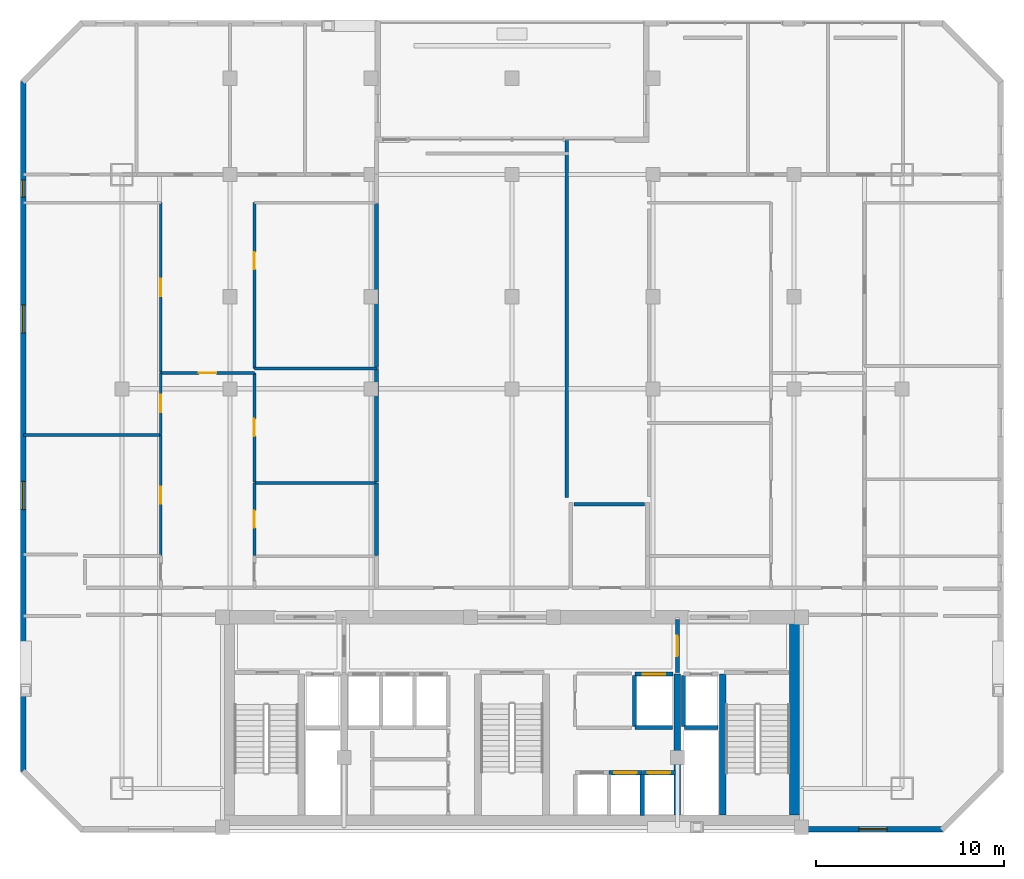
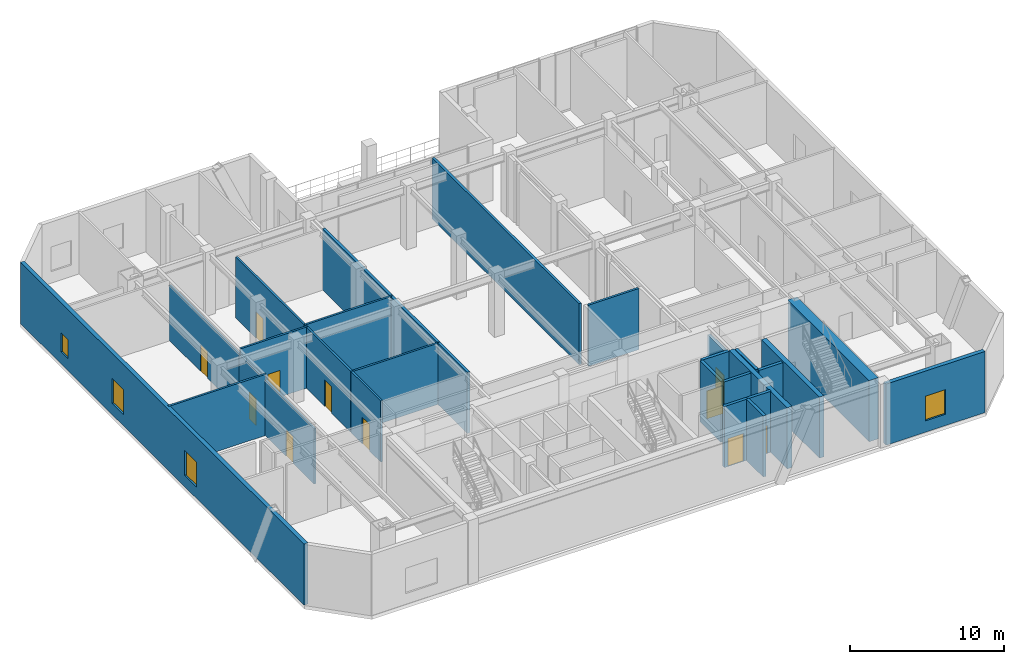
# One storey, part 7 of 11: 29 walls, 11 doors, 4 windows, 15 openings.
"""IFC4 building model written with IfcOpenShell, lengths in metres."""

import ifcopenshell
import ifcopenshell.guid

model = None  # the IFC model being written
_history = None  # IfcOwnerHistory: only IFC2X3 demands one
_inside = {}  # id of a spatial element -> (the spatial element, [elements in it])
_under = {}  # id of a project, library or spatial element -> (it, [spatial elements below it])
_declared = {}  # id of a project -> (the project, [libraries it declares])
_typed = {}  # id of a type object -> (the type object, [elements of that type])
_made_of = {}  # id of a material, layer set ... -> (it, [elements and type objects made of it])


def new_model(schema):
    """Start an empty IFC model of exactly this schema.

    Asked for "IFC4X3", IfcOpenShell would pick the latest addendum, in which some entities
    have other attributes; the version numbers below select the first issue.
    IFC2X3 requires an IfcOwnerHistory on every rooted entity: one is made here for all.
    """
    global model, _history
    if schema == "IFC4X3":
        model = ifcopenshell.file(schema_version=(4, 3, 0, 0))
    else:
        model = ifcopenshell.file(schema=schema)
    _inside.clear()
    _under.clear()
    _declared.clear()
    _typed.clear()
    _made_of.clear()
    _history = None
    if model.schema == "IFC2X3":
        org = make("IfcOrganization", Name="unknown")
        user = make(
            "IfcPersonAndOrganization",
            ThePerson=make("IfcPerson", FamilyName="unknown"),
            TheOrganization=org,
        )
        app = make(
            "IfcApplication",
            ApplicationDeveloper=org,
            Version="unknown",
            ApplicationFullName="unknown",
            ApplicationIdentifier="unknown",
        )
        _history = make(
            "IfcOwnerHistory",
            OwningUser=user,
            OwningApplication=app,
            ChangeAction="ADDED",
            CreationDate=0,
        )
    return model


def make(cls, **values):
    """One entity of the class cls with the attributes given. An attribute that is None is left unset."""
    return model.create_entity(
        cls, **{name: value for name, value in values.items() if value is not None}
    )


def rooted(cls, **values):
    """An entity with a GlobalId (a new one), such as an element, a storey or a relation."""
    return make(cls, GlobalId=ifcopenshell.guid.new(), OwnerHistory=_history, **values)


def si_unit(unit_type, name, prefix=None):
    """IfcSIUnit, for example si_unit("LENGTHUNIT", "METRE", prefix="MILLI")."""
    return make("IfcSIUnit", UnitType=unit_type, Prefix=prefix, Name=name)


def assignment(units):
    """IfcUnitAssignment: the units of a project."""
    return None if units is None else make("IfcUnitAssignment", Units=units)


def point(xyz):
    """IfcCartesianPoint."""
    return None if xyz is None else make("IfcCartesianPoint", Coordinates=xyz)


def direction(xyz):
    """IfcDirection."""
    return None if xyz is None else make("IfcDirection", DirectionRatios=xyz)


def frame(location, z_axis=None, x_axis=None):
    """IfcAxis2Placement3D, a coordinate frame: its origin and axes. An axis left out is left unset."""
    return make(
        "IfcAxis2Placement3D",
        Location=point(location),
        Axis=direction(z_axis),
        RefDirection=direction(x_axis),
    )


def frame_2d(location, x_axis=None):
    """IfcAxis2Placement2D, a coordinate frame in the plane: its origin and x axis."""
    return make(
        "IfcAxis2Placement2D", Location=point(location), RefDirection=direction(x_axis)
    )


def origin():
    """The frame at (0, 0, 0) with its axes left unset."""
    return frame((0.0, 0.0, 0.0))


def place(relative_to, where):
    """IfcLocalPlacement: puts the frame where relative to a parent placement (None: the world)."""
    return make(
        "IfcLocalPlacement", PlacementRelTo=relative_to, RelativePlacement=where
    )


def context(
    kind, dimensions, precision=None, world=None, true_north=None, identifier=None
):
    """IfcGeometricRepresentationContext, for example the 3D "Model" context."""
    return make(
        "IfcGeometricRepresentationContext",
        ContextIdentifier=identifier,
        ContextType=kind,
        CoordinateSpaceDimension=dimensions,
        Precision=precision,
        WorldCoordinateSystem=world,
        TrueNorth=true_north,
    )


def subcontext(parent, identifier, kind, view, scale=None):
    """IfcGeometricRepresentationSubContext, for example "Body" below "Model"."""
    return make(
        "IfcGeometricRepresentationSubContext",
        ContextIdentifier=identifier,
        ContextType=kind,
        ParentContext=parent,
        TargetScale=scale,
        TargetView=view,
    )


def project(units=None, contexts=None):
    """IfcProject with its units and contexts."""
    return rooted(
        "IfcProject",
        Name="project",
        RepresentationContexts=contexts,
        UnitsInContext=assignment(units),
    )


def spatial(cls, under=None, at=None, **own):
    """A site, building, storey or space (cls), placed at a placement, below another one or the project."""
    s = rooted(cls, ObjectPlacement=at, **own)
    if under is not None:
        _under.setdefault(under.id(), (under, []))[1].append(s)
    return s


def profile(cls, at=None, kind="AREA", **sizes):
    """A parametric profile (cls). Its sizes go by their IFC names, for example OverallWidth=200.0."""
    return make(cls, ProfileType=kind, Position=at, **sizes)


def rectangle(**sizes):
    """IfcRectangleProfileDef."""
    return profile("IfcRectangleProfileDef", **sizes)


def extrude(swept, where, along, depth):
    """IfcExtrudedAreaSolid: the profile swept, set in the frame where, extruded along a direction by depth."""
    return make(
        "IfcExtrudedAreaSolid",
        SweptArea=swept,
        Position=where,
        ExtrudedDirection=direction(along),
        Depth=depth,
    )


def shape(context_of_items, identifier, shape_type, items):
    """IfcShapeRepresentation: the items that make up one representation, for example the "Body"."""
    return make(
        "IfcShapeRepresentation",
        ContextOfItems=context_of_items,
        RepresentationIdentifier=identifier,
        RepresentationType=shape_type,
        Items=items,
    )


def material(Name=None, Category=None):
    """IfcMaterial."""
    return make("IfcMaterial", Name=Name, Category=Category)


def layer(
    of_material, thickness, ventilated=None, Name=None, Category=None, Priority=None
):
    """IfcMaterialLayer: one layer of a wall or slab, of a material (None: an air gap)."""
    return make(
        "IfcMaterialLayer",
        Material=of_material,
        LayerThickness=thickness,
        IsVentilated=ventilated,
        Name=Name,
        Category=Category,
        Priority=Priority,
    )


def layer_set(layers, Name=None):
    """IfcMaterialLayerSet."""
    return make("IfcMaterialLayerSet", MaterialLayers=layers, LayerSetName=Name)


def made_of(thing, what):
    """Note that an element or type object is made of a material, layer set ...; save() writes the relation."""
    if what is not None:
        _made_of.setdefault(what.id(), (what, []))[1].append(thing)
    return thing


def type_object(cls, material=None, **own):
    """A type object (cls), such as IfcWallType, which elements share."""
    return made_of(rooted(cls, **own), material)


def element(
    cls,
    number,
    at=None,
    inside=None,
    cuts=None,
    type_object=None,
    material=None,
    context=None,
    identifier="Body",
    shape_type=None,
    held_by="IfcProductDefinitionShape",
    body=None,
    shapes=None,
    **own,
):
    """One element of the class cls, such as IfcWall. Its Tag is "e" and its number.

    at: its placement. inside: the storey or other place that contains it. cuts: it is an
    opening in that element (IfcRelVoidsElement). A single representation is given by context,
    identifier, shape_type and body (its items); several are given by shapes. held_by: the class
    of the entity that holds the representations. save() writes the other relations.
    """
    e = rooted(cls, Tag="e%d" % number, ObjectPlacement=at, **own)
    if body is not None:
        shapes = [shape(context, identifier, shape_type, body)]
    if shapes is not None:
        e.Representation = make(held_by, Representations=shapes)
    if inside is not None:
        _inside.setdefault(inside.id(), (inside, []))[1].append(e)
    if cuts is not None:
        rooted(
            "IfcRelVoidsElement", RelatingBuildingElement=cuts, RelatedOpeningElement=e
        )
    if type_object is not None:
        _typed.setdefault(type_object.id(), (type_object, []))[1].append(e)
    return made_of(e, material)


def fill(opening, filler):
    """IfcRelFillsElement: the door or window that sits in an opening."""
    return rooted(
        "IfcRelFillsElement",
        RelatingOpeningElement=opening,
        RelatedBuildingElement=filler,
    )


def aggregate(whole, parts):
    """IfcRelAggregates: a whole, such as a stair, and the parts it consists of."""
    return rooted("IfcRelAggregates", RelatingObject=whole, RelatedObjects=parts)


def save(model, path):
    """Write the relations noted so far, then the file.

    IfcRelAggregates (storeys below a building ...), IfcRelContainedInSpatialStructure (elements
    in a storey), IfcRelDefinesByType, IfcRelAssociatesMaterial and IfcRelDeclares: one each for
    every whole, place, type object, material and project.
    """
    for whole, parts in _under.values():
        aggregate(whole, parts)
    for where, things in _inside.values():
        rooted(
            "IfcRelContainedInSpatialStructure",
            RelatedElements=things,
            RelatingStructure=where,
        )
    for kind, things in _typed.values():
        rooted("IfcRelDefinesByType", RelatedObjects=things, RelatingType=kind)
    for what, things in _made_of.values():
        rooted("IfcRelAssociatesMaterial", RelatedObjects=things, RelatingMaterial=what)
    for by, libraries in _declared.values():
        rooted("IfcRelDeclares", RelatingContext=by, RelatedDefinitions=libraries)
    model.write(path)


model = new_model("IFC4")

# Units and contexts
model_context = context("Model", 3, precision=1e-05, world=origin(), true_north=direction((0.0, 1.0)))
body_context = subcontext(model_context, "Body", "Model", "MODEL_VIEW")
ifc_project = project(units=[si_unit("LENGTHUNIT", "METRE"), si_unit("AREAUNIT", "SQUARE_METRE"), si_unit("VOLUMEUNIT", "CUBIC_METRE"), si_unit("PLANEANGLEUNIT", "RADIAN"), si_unit("MASSUNIT", "GRAM", prefix="KILO")], contexts=[model_context])

# Site, building, storey
site_placement = place(None, origin())
site = spatial("IfcSite", under=ifc_project, at=site_placement, CompositionType="ELEMENT")
building_placement = place(site_placement, origin())
building = spatial("IfcBuilding", under=site, at=building_placement, Name="Ventersveld Concourse Tower", CompositionType="ELEMENT")
storey_placement = place(building_placement, frame((0.0, 0.0, 140.14990234375)))
storey = spatial("IfcBuildingStorey", under=building, at=storey_placement, Name="L34", CompositionType="ELEMENT", Elevation=140.14990234375)

# Walls
ifc_material_1 = material(Name="Concrete C60/75", Category="concrete")
ifc_layer_1 = layer(ifc_material_1, 0.35009765625)
ifc_layer_set_1 = layer_set([ifc_layer_1], Name="Concrete C60/75")
wall_type_1 = type_object("IfcWallType", Name="WL-CORE-350L", PredefinedType="SHEAR", material=ifc_layer_set_1)
for number, where, z_axis, x_axis, name in (
    (1, (37.550048828125, 0.919921875, 0.0), (0.0, 0.0, 1.0), (0.0, 1.0, 0.0), "L34 Core Internal Shear Web W-SVL-W"),
    (2, (39.9599609375, 0.919921875, 0.0), (0.0, 0.0, 1.0), (0.0, 1.0, 0.0), "L34 Core Internal Shear Web W-ST2-W"),
):
    element("IfcWall", number, at=place(storey_placement, frame(where, z_axis=z_axis, x_axis=x_axis)), inside=storey, type_object=wall_type_1, Name=name, PredefinedType="SHEAR", context=body_context, shape_type="SweptSolid", body=[
        extrude(rectangle(XDim=7.5, YDim=0.35009765625, at=frame_2d((3.75, 0.0))), origin(), (0.0, 0.0, 1.0), 4.830078125),
    ])
ifc_layer_2 = layer(ifc_material_1, 0.699951171875)
ifc_layer_set_2 = layer_set([ifc_layer_2], Name="Concrete C60/75")
wall_type_2 = type_object("IfcWallType", Name="WL-CORE-700", PredefinedType="SHEAR", material=ifc_layer_set_2)
wall_1_placement = place(storey_placement, frame((43.85009765625, 0.919921875, 0.0), z_axis=(0.0, 0.0, 1.0), x_axis=(0.0, 1.0, 0.0)))
element("IfcWall", 3, at=wall_1_placement, inside=storey, type_object=wall_type_2, Name="L34 Rear Core East Shear Wall", PredefinedType="SHEAR", context=body_context, shape_type="SweptSolid", body=[
    extrude(rectangle(XDim=10.530029296875, YDim=0.699951171875, at=frame_2d((5.26513671875, 0.0))), origin(), (0.0, 0.0, 1.0), 4.830078125),
])
ifc_material_2 = material(Name="Fire-rated autoclaved aerated masonry blockwork", Category="masonry")
ifc_layer_3 = layer(ifc_material_2, 0.179931640625)
ifc_layer_set_3 = layer_set([ifc_layer_3], Name="Fire-rated autoclaved aerated masonry blockwork")
wall_type_3 = type_object("IfcWallType", Name="WL-CORR-180", PredefinedType="PARTITIONING", material=ifc_layer_set_3)
wall_2_placement = place(storey_placement, frame((31.669921875, 36.83203125, 0.0), z_axis=(0.0, 0.0, 1.0), x_axis=(0.0, -1.0, 0.0)))
element("IfcWall", 4, at=wall_2_placement, inside=storey, type_object=wall_type_3, Name="L34 Room Enclosure Wall SP-L34-SLOB", PredefinedType="PARTITIONING", context=body_context, shape_type="SweptSolid", body=[
    extrude(rectangle(XDim=19.0029296875, YDim=0.179931640625, at=frame_2d((9.50146484375, 0.0))), origin(), (0.0, 0.0, 1.0), 4.830078125),
])
ifc_layer_4 = layer(ifc_material_2, 0.199951171875)
ifc_layer_set_4 = layer_set([ifc_layer_4], Name="Fire-rated autoclaved aerated masonry blockwork")
wall_type_4 = type_object("IfcWallType", Name="WL-DEMISE-200", PredefinedType="PARTITIONING", material=ifc_layer_set_4)
wall_3_placement = place(storey_placement, frame((21.5400390625, 14.735107421875, 0.0), z_axis=(0.0, 0.0, 1.0), x_axis=(0.0, 1.0, 0.0)))
element("IfcWall", 5, at=wall_3_placement, inside=storey, type_object=wall_type_4, Name="L34 Interior Partition SP-L34-SLOB-SP-L34-34CW-SEMR1", PredefinedType="PARTITIONING", context=body_context, shape_type="SweptSolid", body=[
    extrude(rectangle(XDim=3.867919921875, YDim=0.199951171875, at=frame_2d((1.93408203125, 0.0))), origin(), (0.0, 0.0, 1.0), 4.830078125),
])
wall_4_placement = place(storey_placement, frame((21.5400390625, 18.633056640625, 0.0), z_axis=(0.0, 0.0, 1.0), x_axis=(0.0, 1.0, 0.0)))
element("IfcWall", 6, at=wall_4_placement, inside=storey, type_object=wall_type_4, Name="L34 Interior Partition SP-L34-SLOB-SP-L34-34CW-DENS", PredefinedType="PARTITIONING", context=body_context, shape_type="SweptSolid", body=[
    extrude(rectangle(XDim=6.060791015625, YDim=0.199951171875, at=frame_2d((3.0302734375, 0.0))), origin(), (0.0, 0.0, 1.0), 4.830078125),
])
wall_5_placement = place(storey_placement, frame((21.5400390625, 24.723876953125, 0.0), z_axis=(0.0, 0.0, 1.0), x_axis=(0.0, 1.0, 0.0)))
element("IfcWall", 7, at=wall_5_placement, inside=storey, type_object=wall_type_4, Name="L34 Interior Partition SP-L34-SLOB-SP-L34-34CW-DENS2", PredefinedType="PARTITIONING", context=body_context, shape_type="SweptSolid", body=[
    extrude(rectangle(XDim=8.7412109375, YDim=0.199951171875, at=frame_2d((4.37060546875, 0.0))), origin(), (0.0, 0.0, 1.0), 4.830078125),
])
ifc_layer_5 = layer(ifc_material_2, 0.219970703125)
ifc_layer_set_5 = layer_set([ifc_layer_5], Name="Fire-rated autoclaved aerated masonry blockwork")
wall_type_5 = type_object("IfcWallType", Name="WL-HOIST-220", PredefinedType="SOLIDWALL", material=ifc_layer_set_5)
wall_6_placement = place(storey_placement, frame((37.919921875, 5.590087890625, 0.0), z_axis=(0.0, 0.0, 1.0), x_axis=(1.0, 0.0, 0.0)))
element("IfcWall", 8, at=wall_6_placement, inside=storey, type_object=wall_type_5, Name="L34 Lift Hoistway Back Wall FFL-02", PredefinedType="SOLIDWALL", context=body_context, shape_type="SweptSolid", body=[
    extrude(rectangle(XDim=1.780029296875, YDim=0.219970703125, at=frame_2d((0.89013671875, 0.0))), origin(), (0.0, 0.0, 1.0), 4.830078125),
])
wall_7_placement = place(storey_placement, frame((37.8798828125, 5.64990234375, 0.0), z_axis=(0.0, 0.0, 1.0), x_axis=(0.0, 1.0, 0.0)))
element("IfcWall", 9, at=wall_7_placement, inside=storey, type_object=wall_type_5, Name="L34 Lift Hoistway Side Wall FFL-02W", PredefinedType="SOLIDWALL", context=body_context, shape_type="SweptSolid", body=[
    extrude(rectangle(XDim=2.7001953125, YDim=0.219970703125, at=frame_2d((1.35009765625, 0.0))), origin(), (0.0, 0.0, 1.0), 4.830078125),
])
wall_8_placement = place(storey_placement, frame((35.300048828125, 5.590087890625, 0.0), z_axis=(0.0, 0.0, 1.0), x_axis=(1.0, 0.0, 0.0)))
element("IfcWall", 10, at=wall_8_placement, inside=storey, type_object=wall_type_5, Name="L34 Lift Hoistway Back Wall SVL-01", PredefinedType="SOLIDWALL", context=body_context, shape_type="SweptSolid", body=[
    extrude(rectangle(XDim=2.0, YDim=0.219970703125, at=frame_2d((1.0, 0.0))), origin(), (0.0, 0.0, 1.0), 4.830078125),
])
wall_9_placement = place(storey_placement, frame((35.260009765625, 5.64990234375, 0.0), z_axis=(0.0, 0.0, 1.0), x_axis=(0.0, 1.0, 0.0)))
element("IfcWall", 11, at=wall_9_placement, inside=storey, type_object=wall_type_5, Name="L34 Lift Hoistway Side Wall SVL-01W", PredefinedType="SOLIDWALL", context=body_context, shape_type="SweptSolid", body=[
    extrude(rectangle(XDim=2.7001953125, YDim=0.219970703125, at=frame_2d((1.35009765625, 0.0))), origin(), (0.0, 0.0, 1.0), 4.830078125),
])

# Wall, opening, door
wall_10_placement = place(storey_placement, frame((35.280029296875, 8.429931640625, 0.0), z_axis=(0.0, 0.0, 1.0), x_axis=(1.0, 0.0, 0.0)))
wall_10 = element("IfcWall", 12, at=wall_10_placement, inside=storey, type_object=wall_type_5, Name="L34 Lift Hoistway Front Wall SVL-01", PredefinedType="SOLIDWALL", context=body_context, shape_type="SweptSolid", body=[
    extrude(rectangle(XDim=2.0400390625, YDim=0.219970703125, at=frame_2d((1.02001953125, 0.0))), origin(), (0.0, 0.0, 1.0), 4.830078125),
])
opening_1_placement = place(wall_10_placement, frame((0.429931640625, 0.0, 0.0)))
opening_1 = element("IfcOpeningElement", 13, at=opening_1_placement, cuts=wall_10, Name="Opening LD2", PredefinedType="OPENING", context=body_context, shape_type="SweptSolid", body=[
    extrude(rectangle(XDim=1.179931640625, YDim=2.199951171875, at=frame_2d((0.58984375, 1.10009765625))), frame((0.0, 0.1201171875, 0.0), z_axis=(0.0, -1.0, 0.0), x_axis=(1.0, 0.0, 0.0)), (0.0, 0.0, 1.0), 0.239990234375),
])
ifc_material_3 = material(Name="Brushed stainless steel 316", Category="steel")
door_type_1 = type_object("IfcDoorType", Name="LD-PAX-118", OperationType="SLIDING_TO_LEFT", PredefinedType="DOOR", material=ifc_material_3)
door_1_placement = place(opening_1_placement, origin())
door_1 = element("IfcDoor", 14, at=door_1_placement, inside=storey, type_object=door_type_1, Name="L34 Lift landing door SVL-01 (LD-L34-SVL-01)", OperationType="SLIDING_TO_RIGHT", OverallHeight=2.199951171875, OverallWidth=1.179931640625, PredefinedType="DOOR", context=body_context, shape_type="SweptSolid", body=[
    extrude(rectangle(XDim=1.179931640625, YDim=2.199951171875, at=frame_2d((0.58984375, 1.10009765625))), frame((0.0, 0.02490234375, 0.0), z_axis=(0.0, -1.0, 0.0), x_axis=(1.0, 0.0, 0.0)), (0.0, 0.0, 1.0), 0.050048828125),
])
fill(opening_1, door_1)

# Wall
wall_11_placement = place(storey_placement, frame((35.679931640625, 0.89990234375, 0.0), z_axis=(0.0, 0.0, 1.0), x_axis=(0.0, 1.0, 0.0)))
element("IfcWall", 15, at=wall_11_placement, inside=storey, type_object=wall_type_5, Name="L34 Lift Hoistway Side Wall PM-02E", PredefinedType="SOLIDWALL", context=body_context, shape_type="SweptSolid", body=[
    extrude(rectangle(XDim=2.2001953125, YDim=0.219970703125, at=frame_2d((1.10009765625, 0.0))), origin(), (0.0, 0.0, 1.0), 4.830078125),
])

# Wall, opening, door
wall_12_placement = place(storey_placement, frame((33.919921875, 3.179931640625, 0.0), z_axis=(0.0, 0.0, 1.0), x_axis=(1.0, 0.0, 0.0)))
wall_12 = element("IfcWall", 16, at=wall_12_placement, inside=storey, type_object=wall_type_5, Name="L34 Lift Hoistway Front Wall PM-02", PredefinedType="SOLIDWALL", context=body_context, shape_type="SweptSolid", body=[
    extrude(rectangle(XDim=1.739990234375, YDim=0.219970703125, at=frame_2d((0.8701171875, 0.0))), origin(), (0.0, 0.0, 1.0), 4.830078125),
])
opening_2_placement = place(wall_12_placement, frame((0.280029296875, 0.0, 0.0)))
opening_2 = element("IfcOpeningElement", 17, at=opening_2_placement, cuts=wall_12, Name="Opening LD2", PredefinedType="OPENING", context=body_context, shape_type="SweptSolid", body=[
    extrude(rectangle(XDim=1.179931640625, YDim=2.199951171875, at=frame_2d((0.58984375, 1.10009765625))), frame((0.0, 0.1201171875, 0.0), z_axis=(0.0, -1.0, 0.0), x_axis=(1.0, 0.0, 0.0)), (0.0, 0.0, 1.0), 0.239990234375),
])
door_2_placement = place(opening_2_placement, origin())
door_2 = element("IfcDoor", 18, at=door_2_placement, inside=storey, type_object=door_type_1, Name="L34 Lift landing door PM-02 (LD-L34-PM-02)", OperationType="SLIDING_TO_RIGHT", OverallHeight=2.199951171875, OverallWidth=1.179931640625, PredefinedType="DOOR", context=body_context, shape_type="SweptSolid", body=[
    extrude(rectangle(XDim=1.179931640625, YDim=2.199951171875, at=frame_2d((0.58984375, 1.10009765625))), frame((0.0, 0.02490234375, 0.0), z_axis=(0.0, -1.0, 0.0), x_axis=(1.0, 0.0, 0.0)), (0.0, 0.0, 1.0), 0.050048828125),
])
fill(opening_2, door_2)

wall_13_placement = place(storey_placement, frame((35.699951171875, 3.179931640625, 0.0), z_axis=(0.0, 0.0, 1.0), x_axis=(1.0, 0.0, 0.0)))
wall_13 = element("IfcWall", 19, at=wall_13_placement, inside=storey, type_object=wall_type_5, Name="L34 Lift Hoistway Front Wall PM-03", PredefinedType="SOLIDWALL", context=body_context, shape_type="SweptSolid", body=[
    extrude(rectangle(XDim=1.739990234375, YDim=0.219970703125, at=frame_2d((0.8701171875, 0.0))), origin(), (0.0, 0.0, 1.0), 4.830078125),
])
opening_3_placement = place(wall_13_placement, frame((0.280029296875, 0.0, 0.0)))
opening_3 = element("IfcOpeningElement", 20, at=opening_3_placement, cuts=wall_13, Name="Opening LD2", PredefinedType="OPENING", context=body_context, shape_type="SweptSolid", body=[
    extrude(rectangle(XDim=1.179931640625, YDim=2.199951171875, at=frame_2d((0.58984375, 1.10009765625))), frame((0.0, 0.1201171875, 0.0), z_axis=(0.0, -1.0, 0.0), x_axis=(1.0, 0.0, 0.0)), (0.0, 0.0, 1.0), 0.239990234375),
])
door_3_placement = place(opening_3_placement, origin())
door_3 = element("IfcDoor", 21, at=door_3_placement, inside=storey, type_object=door_type_1, Name="L34 Lift landing door PM-03 (LD-L34-PM-03)", OperationType="SLIDING_TO_LEFT", OverallHeight=2.199951171875, OverallWidth=1.179931640625, PredefinedType="DOOR", context=body_context, shape_type="SweptSolid", body=[
    extrude(rectangle(XDim=1.179931640625, YDim=2.199951171875, at=frame_2d((0.58984375, 1.10009765625))), frame((0.0, 0.02490234375, 0.0), z_axis=(0.0, -1.0, 0.0), x_axis=(1.0, 0.0, 0.0)), (0.0, 0.0, 1.0), 0.050048828125),
])
fill(opening_3, door_3)

wall_14_placement = place(storey_placement, frame((37.550048828125, 8.52001953125, 0.0), z_axis=(0.0, 0.0, 1.0), x_axis=(0.0, 1.0, 0.0)))
wall_14 = element("IfcWall", 22, at=wall_14_placement, inside=storey, type_object=wall_type_5, Name="L34 Firefighting Lobby Smoke-Stop Wall FFLE-SEP", PredefinedType="SOLIDWALL", context=body_context, shape_type="SweptSolid", body=[
    extrude(rectangle(XDim=2.800048828125, YDim=0.219970703125, at=frame_2d((1.39990234375, 0.0))), origin(), (0.0, 0.0, 1.0), 4.28564453125),
])
opening_4_placement = place(wall_14_placement, frame((0.85009765625, 0.0, 0.0)))
opening_4 = element("IfcOpeningElement", 23, at=opening_4_placement, cuts=wall_14, Name="Opening FD2", PredefinedType="OPENING", context=body_context, shape_type="SweptSolid", body=[
    extrude(rectangle(XDim=1.10009765625, YDim=2.199951171875, at=frame_2d((0.550048828125, 1.10009765625))), frame((0.0, 0.1201171875, 0.0), z_axis=(0.0, -1.0, 0.0), x_axis=(1.0, 0.0, 0.0)), (0.0, 0.0, 1.0), 0.239990234375),
])
ifc_material_4 = material(Name="Galvanised painted steel", Category="steel")
door_type_2 = type_object("IfcDoorType", Name="DR-FFL-110", OperationType="NOTDEFINED", PredefinedType="DOOR", material=ifc_material_4)
door_4_placement = place(opening_4_placement, origin())
door_4 = element("IfcDoor", 24, at=door_4_placement, inside=storey, type_object=door_type_2, Name="L34 Firefighting Lobby Door FFLE-SEP (FD-L34-1659)", OperationType="SINGLE_SWING_RIGHT", OverallHeight=2.199951171875, OverallWidth=1.10009765625, PredefinedType="DOOR", context=body_context, shape_type="SweptSolid", body=[
    extrude(rectangle(XDim=1.10009765625, YDim=2.199951171875, at=frame_2d((0.550048828125, 1.10009765625))), frame((0.0, 0.02490234375, 0.0), z_axis=(0.0, -1.0, 0.0), x_axis=(1.0, 0.0, 0.0)), (0.0, 0.0, 1.0), 0.050048828125),
])
fill(opening_4, door_4)

ifc_material_5 = material(Name="Autoclaved aerated masonry blockwork", Category="masonry")
ifc_layer_6 = layer(ifc_material_5, 0.14990234375)
ifc_layer_set_6 = layer_set([ifc_layer_6], Name="Autoclaved aerated masonry blockwork")
wall_type_6 = type_object("IfcWallType", Name="WL-INT-150", PredefinedType="PARTITIONING", material=ifc_layer_set_6)
wall_15_placement = place(storey_placement, frame((10.064697265625, 24.444091796875, 0.0), z_axis=(0.0, 0.0, 1.0), x_axis=(1.0, 0.0, 0.0)))
wall_15 = element("IfcWall", 25, at=wall_15_placement, inside=storey, type_object=wall_type_6, Name="L34 Interior Partition SP-L34-34CW-FOY-SP-L34-34CW-LIV", PredefinedType="PARTITIONING", context=body_context, shape_type="SweptSolid", body=[
    extrude(rectangle(XDim=4.989990234375, YDim=0.14990234375, at=frame_2d((2.4951171875, 0.0))), origin(), (0.0, 0.0, 1.0), 4.830078125),
])
opening_5_placement = place(wall_15_placement, frame((2.034912109375, 0.0, 0.0)))
opening_5 = element("IfcOpeningElement", 26, at=opening_5_placement, cuts=wall_15, Name="Opening ID1", PredefinedType="OPENING", context=body_context, shape_type="SweptSolid", body=[
    extrude(rectangle(XDim=0.919921875, YDim=2.10009765625, at=frame_2d((0.4599609375, 1.050048828125))), frame((0.0, 0.0849609375, 0.0), z_axis=(0.0, -1.0, 0.0), x_axis=(1.0, 0.0, 0.0)), (0.0, 0.0, 1.0), 0.169921875),
])
ifc_material_6 = material(Name="Solid-core hardwood veneer timber", Category="wood")
door_type_3 = type_object("IfcDoorType", Name="DR-ROOM-092", OperationType="NOTDEFINED", PredefinedType="DOOR", material=ifc_material_6)
door_5_placement = place(opening_5_placement, origin())
door_5 = element("IfcDoor", 27, at=door_5_placement, inside=storey, type_object=door_type_3, Name="L34 Interior Door SP-L34-34CW-FOY to SP-L34-34CW-LIV (D-L34-1673)", OperationType="SINGLE_SWING_LEFT", OverallHeight=2.10009765625, OverallWidth=0.919921875, PredefinedType="DOOR", context=body_context, shape_type="SweptSolid", body=[
    extrude(rectangle(XDim=0.919921875, YDim=2.10009765625, at=frame_2d((0.4599609375, 1.050048828125))), frame((0.0, 0.02490234375, 0.0), z_axis=(0.0, -1.0, 0.0), x_axis=(1.0, 0.0, 0.0)), (0.0, 0.0, 1.0), 0.050048828125),
])
fill(opening_5, door_5)

wall_16_placement = place(storey_placement, frame((10.069580078125, 14.735107421875, 0.0), z_axis=(0.0, 0.0, 1.0), x_axis=(0.0, 1.0, 0.0)))
wall_16 = element("IfcWall", 28, at=wall_16_placement, inside=storey, type_object=wall_type_6, Name="L34 Interior Partition SP-L34-34CW-FOY-SP-L34-34CW-MEDL0", PredefinedType="PARTITIONING", context=body_context, shape_type="SweptSolid", body=[
    extrude(rectangle(XDim=6.415283203125, YDim=0.14990234375, at=frame_2d((3.20751953125, 0.0))), origin(), (0.0, 0.0, 1.0), 4.376708984375),
])
opening_6_placement = place(wall_16_placement, frame((2.747802734375, 0.0, 0.0)))
opening_6 = element("IfcOpeningElement", 29, at=opening_6_placement, cuts=wall_16, Name="Opening ID1", PredefinedType="OPENING", context=body_context, shape_type="SweptSolid", body=[
    extrude(rectangle(XDim=0.919921875, YDim=2.10009765625, at=frame_2d((0.4599609375, 1.050048828125))), frame((0.0, 0.0849609375, 0.0), z_axis=(0.0, -1.0, 0.0), x_axis=(1.0, 0.0, 0.0)), (0.0, 0.0, 1.0), 0.169921875),
])
door_6_placement = place(opening_6_placement, origin())
door_6 = element("IfcDoor", 30, at=door_6_placement, inside=storey, type_object=door_type_3, Name="L34 Interior Door SP-L34-34CW-FOY to SP-L34-34CW-MEDL0 (D-L34-1675)", OperationType="SINGLE_SWING_LEFT", OverallHeight=2.10009765625, OverallWidth=0.919921875, PredefinedType="DOOR", context=body_context, shape_type="SweptSolid", body=[
    extrude(rectangle(XDim=0.919921875, YDim=2.10009765625, at=frame_2d((0.4599609375, 1.050048828125))), frame((0.0, 0.02490234375, 0.0), z_axis=(0.0, -1.0, 0.0), x_axis=(1.0, 0.0, 0.0)), (0.0, 0.0, 1.0), 0.050048828125),
])
fill(opening_6, door_6)

wall_17_placement = place(storey_placement, frame((10.069580078125, 21.180419921875, 0.0), z_axis=(0.0, 0.0, 1.0), x_axis=(0.0, 1.0, 0.0)))
wall_17 = element("IfcWall", 31, at=wall_17_placement, inside=storey, type_object=wall_type_6, Name="L34 Interior Partition SP-L34-34CW-FOY-SP-L34-34CW-OFFL2", PredefinedType="PARTITIONING", context=body_context, shape_type="SweptSolid", body=[
    extrude(rectangle(XDim=3.268798828125, YDim=0.14990234375, at=frame_2d((1.63427734375, 0.0))), origin(), (0.0, 0.0, 1.0), 4.376708984375),
])
opening_7_placement = place(wall_17_placement, frame((1.17431640625, 0.0, 0.0)))
opening_7 = element("IfcOpeningElement", 32, at=opening_7_placement, cuts=wall_17, Name="Opening ID1", PredefinedType="OPENING", context=body_context, shape_type="SweptSolid", body=[
    extrude(rectangle(XDim=0.919921875, YDim=2.10009765625, at=frame_2d((0.4599609375, 1.050048828125))), frame((0.0, 0.0849609375, 0.0), z_axis=(0.0, -1.0, 0.0), x_axis=(1.0, 0.0, 0.0)), (0.0, 0.0, 1.0), 0.169921875),
])
door_7_placement = place(opening_7_placement, origin())
door_7 = element("IfcDoor", 33, at=door_7_placement, inside=storey, type_object=door_type_3, Name="L34 Interior Door SP-L34-34CW-FOY to SP-L34-34CW-OFFL2 (D-L34-1676)", OperationType="SINGLE_SWING_RIGHT", OverallHeight=2.10009765625, OverallWidth=0.919921875, PredefinedType="DOOR", context=body_context, shape_type="SweptSolid", body=[
    extrude(rectangle(XDim=0.919921875, YDim=2.10009765625, at=frame_2d((0.4599609375, 1.050048828125))), frame((0.0, 0.02490234375, 0.0), z_axis=(0.0, -1.0, 0.0), x_axis=(1.0, 0.0, 0.0)), (0.0, 0.0, 1.0), 0.050048828125),
])
fill(opening_7, door_7)

wall_18_placement = place(storey_placement, frame((15.049560546875, 14.735107421875, 0.0), z_axis=(0.0, 0.0, 1.0), x_axis=(0.0, 1.0, 0.0)))
wall_18 = element("IfcWall", 34, at=wall_18_placement, inside=storey, type_object=wall_type_6, Name="L34 Interior Partition SP-L34-34CW-FOY-SP-L34-34CW-SEMR1", PredefinedType="PARTITIONING", context=body_context, shape_type="SweptSolid", body=[
    extrude(rectangle(XDim=3.867919921875, YDim=0.14990234375, at=frame_2d((1.93408203125, 0.0))), origin(), (0.0, 0.0, 1.0), 4.830078125),
])
opening_8_placement = place(wall_18_placement, frame((1.47412109375, 0.0, 0.0)))
opening_8 = element("IfcOpeningElement", 35, at=opening_8_placement, cuts=wall_18, Name="Opening ID1", PredefinedType="OPENING", context=body_context, shape_type="SweptSolid", body=[
    extrude(rectangle(XDim=0.919921875, YDim=2.10009765625, at=frame_2d((0.4599609375, 1.050048828125))), frame((0.0, 0.0849609375, 0.0), z_axis=(0.0, -1.0, 0.0), x_axis=(1.0, 0.0, 0.0)), (0.0, 0.0, 1.0), 0.169921875),
])
door_8_placement = place(opening_8_placement, origin())
door_8 = element("IfcDoor", 36, at=door_8_placement, inside=storey, type_object=door_type_3, Name="L34 Interior Door SP-L34-34CW-FOY to SP-L34-34CW-SEMR1 (D-L34-1678)", OperationType="SINGLE_SWING_RIGHT", OverallHeight=2.10009765625, OverallWidth=0.919921875, PredefinedType="DOOR", context=body_context, shape_type="SweptSolid", body=[
    extrude(rectangle(XDim=0.919921875, YDim=2.10009765625, at=frame_2d((0.4599609375, 1.050048828125))), frame((0.0, 0.02490234375, 0.0), z_axis=(0.0, -1.0, 0.0), x_axis=(1.0, 0.0, 0.0)), (0.0, 0.0, 1.0), 0.050048828125),
])
fill(opening_8, door_8)

wall_19_placement = place(storey_placement, frame((15.049560546875, 18.633056640625, 0.0), z_axis=(0.0, 0.0, 1.0), x_axis=(0.0, 1.0, 0.0)))
wall_19 = element("IfcWall", 37, at=wall_19_placement, inside=storey, type_object=wall_type_6, Name="L34 Interior Partition SP-L34-34CW-FOY-SP-L34-34CW-DENS", PredefinedType="PARTITIONING", context=body_context, shape_type="SweptSolid", body=[
    extrude(rectangle(XDim=5.816162109375, YDim=0.14990234375, at=frame_2d((2.908203125, 0.0))), origin(), (0.0, 0.0, 1.0), 4.830078125),
])
opening_9_placement = place(wall_19_placement, frame((2.447998046875, 0.0, 0.0)))
opening_9 = element("IfcOpeningElement", 38, at=opening_9_placement, cuts=wall_19, Name="Opening ID1", PredefinedType="OPENING", context=body_context, shape_type="SweptSolid", body=[
    extrude(rectangle(XDim=0.919921875, YDim=2.10009765625, at=frame_2d((0.4599609375, 1.050048828125))), frame((0.0, 0.0849609375, 0.0), z_axis=(0.0, -1.0, 0.0), x_axis=(1.0, 0.0, 0.0)), (0.0, 0.0, 1.0), 0.169921875),
])
door_9_placement = place(opening_9_placement, origin())
door_9 = element("IfcDoor", 39, at=door_9_placement, inside=storey, type_object=door_type_3, Name="L34 Interior Door SP-L34-34CW-FOY to SP-L34-34CW-DENS (D-L34-1679)", OperationType="SINGLE_SWING_LEFT", OverallHeight=2.10009765625, OverallWidth=0.919921875, PredefinedType="DOOR", context=body_context, shape_type="SweptSolid", body=[
    extrude(rectangle(XDim=0.919921875, YDim=2.10009765625, at=frame_2d((0.4599609375, 1.050048828125))), frame((0.0, 0.02490234375, 0.0), z_axis=(0.0, -1.0, 0.0), x_axis=(1.0, 0.0, 0.0)), (0.0, 0.0, 1.0), 0.050048828125),
])
fill(opening_9, door_9)

wall_20_placement = place(storey_placement, frame((10.069580078125, 24.47900390625, 0.0), z_axis=(0.0, 0.0, 1.0), x_axis=(0.0, 1.0, 0.0)))
wall_20 = element("IfcWall", 40, at=wall_20_placement, inside=storey, type_object=wall_type_6, Name="L34 Interior Partition SP-L34-34CW-LIV-SP-L34-34CW-OFFL2", PredefinedType="PARTITIONING", context=body_context, shape_type="SweptSolid", body=[
    extrude(rectangle(XDim=9.02587890625, YDim=0.14990234375, at=frame_2d((4.512939453125, 0.0))), origin(), (0.0, 0.0, 1.0), 4.376708984375),
])
opening_10_placement = place(wall_20_placement, frame((4.052978515625, 0.0, 0.0)))
opening_10 = element("IfcOpeningElement", 41, at=opening_10_placement, cuts=wall_20, Name="Opening ID1", PredefinedType="OPENING", context=body_context, shape_type="SweptSolid", body=[
    extrude(rectangle(XDim=0.919921875, YDim=2.10009765625, at=frame_2d((0.4599609375, 1.050048828125))), frame((0.0, 0.0849609375, 0.0), z_axis=(0.0, -1.0, 0.0), x_axis=(1.0, 0.0, 0.0)), (0.0, 0.0, 1.0), 0.169921875),
])
door_10_placement = place(opening_10_placement, origin())
door_10 = element("IfcDoor", 42, at=door_10_placement, inside=storey, type_object=door_type_3, Name="L34 Interior Door SP-L34-34CW-LIV to SP-L34-34CW-OFFL2 (D-L34-1680)", OperationType="SINGLE_SWING_RIGHT", OverallHeight=2.10009765625, OverallWidth=0.919921875, PredefinedType="DOOR", context=body_context, shape_type="SweptSolid", body=[
    extrude(rectangle(XDim=0.919921875, YDim=2.10009765625, at=frame_2d((0.4599609375, 1.050048828125))), frame((0.0, 0.02490234375, 0.0), z_axis=(0.0, -1.0, 0.0), x_axis=(1.0, 0.0, 0.0)), (0.0, 0.0, 1.0), 0.050048828125),
])
fill(opening_10, door_10)

wall_21_placement = place(storey_placement, frame((15.049560546875, 24.683837890625, 0.0), z_axis=(0.0, 0.0, 1.0), x_axis=(0.0, 1.0, 0.0)))
wall_21 = element("IfcWall", 43, at=wall_21_placement, inside=storey, type_object=wall_type_6, Name="L34 Interior Partition SP-L34-34CW-LIV-SP-L34-34CW-DENS2", PredefinedType="PARTITIONING", context=body_context, shape_type="SweptSolid", body=[
    extrude(rectangle(XDim=8.821044921875, YDim=0.14990234375, at=frame_2d((4.41064453125, 0.0))), origin(), (0.0, 0.0, 1.0), 4.830078125),
])
opening_11_placement = place(wall_21_placement, frame((5.273681640625, 0.0, 0.0)))
opening_11 = element("IfcOpeningElement", 44, at=opening_11_placement, cuts=wall_21, Name="Opening ID1", PredefinedType="OPENING", context=body_context, shape_type="SweptSolid", body=[
    extrude(rectangle(XDim=0.919921875, YDim=2.10009765625, at=frame_2d((0.4599609375, 1.050048828125))), frame((0.0, 0.0849609375, 0.0), z_axis=(0.0, -1.0, 0.0), x_axis=(1.0, 0.0, 0.0)), (0.0, 0.0, 1.0), 0.169921875),
])
door_11_placement = place(opening_11_placement, origin())
door_11 = element("IfcDoor", 45, at=door_11_placement, inside=storey, type_object=door_type_3, Name="L34 Interior Door SP-L34-34CW-LIV to SP-L34-34CW-DENS2 (D-L34-1681)", OperationType="SINGLE_SWING_LEFT", OverallHeight=2.10009765625, OverallWidth=0.919921875, PredefinedType="DOOR", context=body_context, shape_type="SweptSolid", body=[
    extrude(rectangle(XDim=0.919921875, YDim=2.10009765625, at=frame_2d((0.4599609375, 1.050048828125))), frame((0.0, 0.02490234375, 0.0), z_axis=(0.0, -1.0, 0.0), x_axis=(1.0, 0.0, 0.0)), (0.0, 0.0, 1.0), 0.050048828125),
])
fill(opening_11, door_11)

# Walls
wall_22_placement = place(storey_placement, frame((2.7724609375, 21.145263671875, 0.0), z_axis=(0.0, 0.0, 1.0), x_axis=(1.0, 0.0, 0.0)))
element("IfcWall", 46, at=wall_22_placement, inside=storey, type_object=wall_type_6, Name="L34 Interior Partition SP-L34-34CW-MEDL0-SP-L34-34CW-OFFL2", PredefinedType="PARTITIONING", context=body_context, shape_type="SweptSolid", body=[
    extrude(rectangle(XDim=7.30224609375, YDim=0.14990234375, at=frame_2d((3.651123046875, 0.0))), origin(), (0.0, 0.0, 1.0), 4.830078125),
])
for number, where, z_axis, x_axis, name in (
    (47, (15.044677734375, 18.59814453125, 0.0), (0.0, 0.0, 1.0), (1.0, 0.0, 0.0), "L34 Interior Partition SP-L34-34CW-SEMR1-SP-L34-34CW-DENS"),
    (48, (15.044677734375, 24.68896484375, 0.0), (0.0, 0.0, 1.0), (1.0, 0.0, 0.0), "L34 Interior Partition SP-L34-34CW-DENS-SP-L34-34CW-DENS2"),
):
    element("IfcWall", number, at=place(storey_placement, frame(where, z_axis=z_axis, x_axis=x_axis)), inside=storey, type_object=wall_type_6, Name=name, PredefinedType="PARTITIONING", context=body_context, shape_type="SweptSolid", body=[
        extrude(rectangle(XDim=6.500244140625, YDim=0.14990234375, at=frame_2d((3.25, 0.0))), origin(), (0.0, 0.0, 1.0), 4.830078125),
    ])

# Wall, opening, window
ifc_material_7 = material(Name="Precast concrete C45/55", Category="concrete")
ifc_layer_7 = layer(ifc_material_7, 0.300048828125)
ifc_layer_set_7 = layer_set([ifc_layer_7], Name="Precast concrete C45/55")
wall_type_7 = type_object("IfcWallType", Name="WL-PREC-300", PredefinedType="SOLIDWALL", material=ifc_layer_set_7)
wall_23_placement = place(storey_placement, frame((44.25, 0.179931640625, 0.0), z_axis=(0.0, 0.0, 1.0), x_axis=(1.0, 0.0, 0.0)))
wall_23 = element("IfcWall", 49, at=wall_23_placement, inside=storey, type_object=wall_type_7, Name="L34 South-East Flank Precast Wall", PredefinedType="SOLIDWALL", context=body_context, shape_type="SweptSolid", body=[
    extrude(rectangle(XDim=7.409912109375, YDim=0.300048828125, at=frame_2d((3.705078125, 0.0))), origin(), (0.0, 0.0, 1.0), 4.830078125),
])
opening_12_placement = place(wall_23_placement, frame((2.955078125, 0.0, 0.89990234375)))
opening_12 = element("IfcOpeningElement", 50, at=opening_12_placement, cuts=wall_23, Name="Opening W1", PredefinedType="OPENING", context=body_context, shape_type="SweptSolid", body=[
    extrude(rectangle(XDim=1.5, YDim=1.949951171875, at=frame_2d((0.75, 0.97509765625))), frame((0.0, 0.16015625, 0.0), z_axis=(0.0, -1.0, 0.0), x_axis=(1.0, 0.0, 0.0)), (0.0, 0.0, 1.0), 0.320068359375),
])
ifc_material_8 = material(Name="Tempered acoustic Low-E IGU", Category="glass")
window_type_1 = type_object("IfcWindowType", Name="WIN-150x210", PartitioningType="SINGLE_PANEL", PredefinedType="WINDOW", material=ifc_material_8)
window_1_placement = place(opening_12_placement, origin())
window_1 = element("IfcWindow", 51, at=window_1_placement, inside=storey, type_object=window_type_1, Name="L34 Punched Low-E Window W-0430", OverallHeight=1.949951171875, OverallWidth=1.5, PartitioningType="SINGLE_PANEL", PredefinedType="WINDOW", context=body_context, shape_type="SweptSolid", body=[
    extrude(rectangle(XDim=1.5, YDim=1.949951171875, at=frame_2d((0.75, 0.97509765625))), frame((0.0, 0.030029296875, 0.0), z_axis=(0.0, -1.0, 0.0), x_axis=(1.0, 0.0, 0.0)), (0.0, 0.0, 1.0), 0.06005859375),
])
fill(opening_12, window_1)

# Wall, openings, windows
wall_24_placement = place(storey_placement, frame((2.75, 39.9599609375, 0.0), z_axis=(0.0, 0.0, 1.0), x_axis=(0.0, -1.0, 0.0)))
wall_24 = element("IfcWall", 52, at=wall_24_placement, inside=storey, type_object=wall_type_7, Name="L34 Highveld Precast Facade Wall E11", PredefinedType="SOLIDWALL", context=body_context, shape_type="SweptSolid", body=[
    extrude(rectangle(XDim=36.719970703125, YDim=0.300048828125, at=frame_2d((18.35986328125, 0.0))), origin(), (0.0, 0.0, 1.0), 4.830078125),
])
opening_13_placement = place(wall_24_placement, frame((5.260009765625, 0.0, 0.949951171875)))
opening_13 = element("IfcOpeningElement", 53, at=opening_13_placement, cuts=wall_24, Name="Opening W4", PredefinedType="OPENING", context=body_context, shape_type="SweptSolid", body=[
    extrude(rectangle(XDim=0.89990234375, YDim=1.5, at=frame_2d((0.449951171875, 0.75))), frame((0.0, 0.16015625, 0.0), z_axis=(0.0, -1.0, 0.0), x_axis=(1.0, 0.0, 0.0)), (0.0, 0.0, 1.0), 0.320068359375),
])
opening_14_placement = place(wall_24_placement, frame((21.287353515625, 0.0, 0.89990234375)))
opening_14 = element("IfcOpeningElement", 54, at=opening_14_placement, cuts=wall_24, Name="Opening W1", PredefinedType="OPENING", context=body_context, shape_type="SweptSolid", body=[
    extrude(rectangle(XDim=1.5, YDim=1.949951171875, at=frame_2d((0.75, 0.97509765625))), frame((0.0, 0.16015625, 0.0), z_axis=(0.0, -1.0, 0.0), x_axis=(1.0, 0.0, 0.0)), (0.0, 0.0, 1.0), 0.320068359375),
])
opening_15_placement = place(wall_24_placement, frame((11.887451171875, 0.0, 0.89990234375)))
opening_15 = element("IfcOpeningElement", 55, at=opening_15_placement, cuts=wall_24, Name="Opening W1", PredefinedType="OPENING", context=body_context, shape_type="SweptSolid", body=[
    extrude(rectangle(XDim=1.5, YDim=1.949951171875, at=frame_2d((0.75, 0.97509765625))), frame((0.0, 0.16015625, 0.0), z_axis=(0.0, -1.0, 0.0), x_axis=(1.0, 0.0, 0.0)), (0.0, 0.0, 1.0), 0.320068359375),
])
window_type_2 = type_object("IfcWindowType", Name="WIN-090x150", PartitioningType="SINGLE_PANEL", PredefinedType="WINDOW", material=ifc_material_8)
window_2_placement = place(opening_13_placement, origin())
window_2 = element("IfcWindow", 56, at=window_2_placement, inside=storey, type_object=window_type_2, Name="L34 Punched Low-E Window W-0431", OverallHeight=1.5, OverallWidth=0.89990234375, PartitioningType="SINGLE_PANEL", PredefinedType="WINDOW", context=body_context, shape_type="SweptSolid", body=[
    extrude(rectangle(XDim=0.89990234375, YDim=1.5, at=frame_2d((0.449951171875, 0.75))), frame((0.0, 0.030029296875, 0.0), z_axis=(0.0, -1.0, 0.0), x_axis=(1.0, 0.0, 0.0)), (0.0, 0.0, 1.0), 0.06005859375),
])
fill(opening_13, window_2)
window_3_placement = place(opening_14_placement, origin())
window_3 = element("IfcWindow", 57, at=window_3_placement, inside=storey, type_object=window_type_1, Name="L34 Punched Low-E Window W-0432", OverallHeight=1.949951171875, OverallWidth=1.5, PartitioningType="SINGLE_PANEL", PredefinedType="WINDOW", context=body_context, shape_type="SweptSolid", body=[
    extrude(rectangle(XDim=1.5, YDim=1.949951171875, at=frame_2d((0.75, 0.97509765625))), frame((0.0, 0.030029296875, 0.0), z_axis=(0.0, -1.0, 0.0), x_axis=(1.0, 0.0, 0.0)), (0.0, 0.0, 1.0), 0.06005859375),
])
fill(opening_14, window_3)
window_4_placement = place(opening_15_placement, origin())
window_4 = element("IfcWindow", 58, at=window_4_placement, inside=storey, type_object=window_type_1, Name="L34 Punched Low-E Window W-0433", OverallHeight=1.949951171875, OverallWidth=1.5, PartitioningType="SINGLE_PANEL", PredefinedType="WINDOW", context=body_context, shape_type="SweptSolid", body=[
    extrude(rectangle(XDim=1.5, YDim=1.949951171875, at=frame_2d((0.75, 0.97509765625))), frame((0.0, 0.030029296875, 0.0), z_axis=(0.0, -1.0, 0.0), x_axis=(1.0, 0.0, 0.0)), (0.0, 0.0, 1.0), 0.06005859375),
])
fill(opening_15, window_4)

# Wall
ifc_layer_8 = layer(ifc_material_5, 0.1650390625)
ifc_layer_set_8 = layer_set([ifc_layer_8], Name="Autoclaved aerated masonry blockwork")
wall_type_8 = type_object("IfcWallType", Name="WL-WET-165", PredefinedType="PLUMBINGWALL", material=ifc_layer_set_8)
wall_25_placement = place(storey_placement, frame((32.034912109375, 17.4599609375, 0.0), z_axis=(0.0, 0.0, 1.0), x_axis=(1.0, 0.0, 0.0)))
element("IfcWall", 59, at=wall_25_placement, inside=storey, type_object=wall_type_8, Name="L34 Room Enclosure Wall SP-L34-SAWC", PredefinedType="PLUMBINGWALL", context=body_context, shape_type="SweptSolid", body=[
    extrude(rectangle(XDim=3.760009765625, YDim=0.1650390625, at=frame_2d((1.8798828125, 0.0))), origin(), (0.0, 0.0, 1.0), 4.830078125),
])

save(model, "model.ifc")
